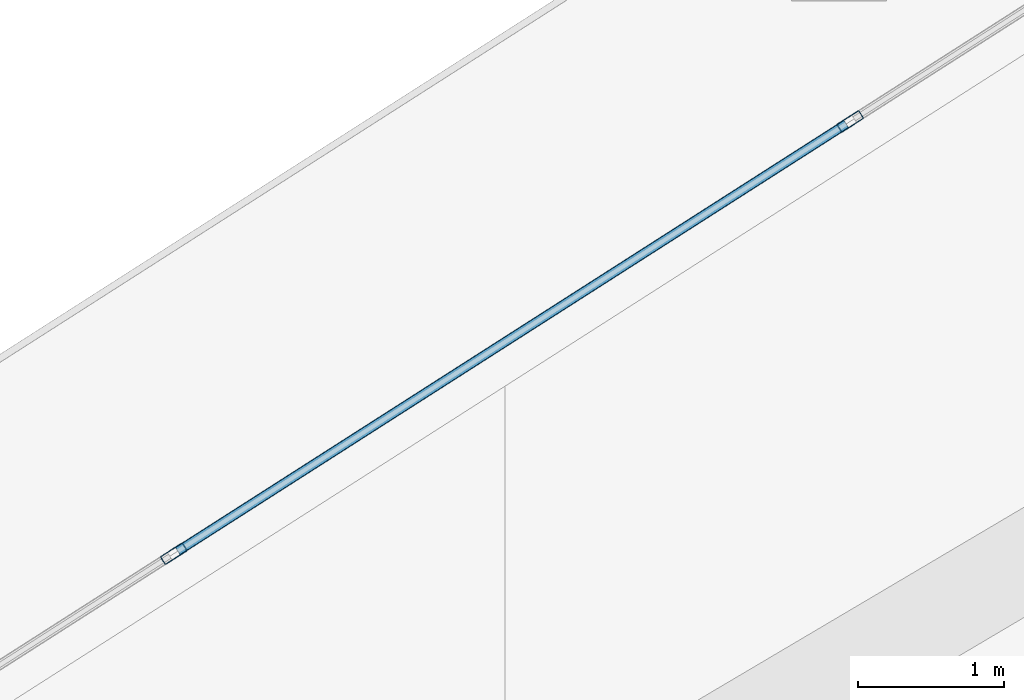
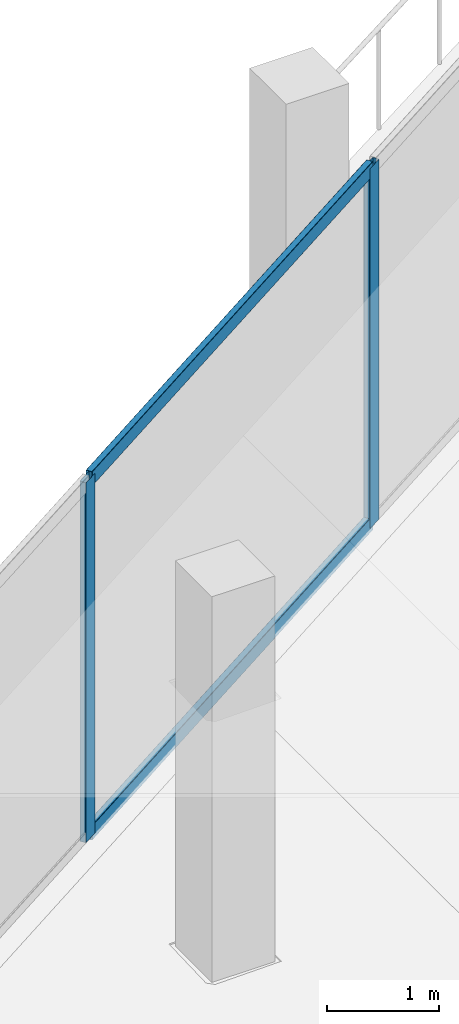
# One storey, part 16 of 45: 4 members, 1 element without a shape of its own.
"""IFC4 building model written with IfcOpenShell, lengths in metres."""

from ifc_helpers import new_model, si_unit, direction, frame, origin, origin_2d, place, context, subcontext, project, spatial, hollow_rectangle, extrude, material, layer, layer_set, material_profile, profile_set, type_object, element, aggregate, save


model = new_model("IFC4")

# Units and contexts
model_context = context("Model", 3, precision=1e-05, world=origin(), true_north=direction((0.0, 1.0)))
body_context = subcontext(model_context, "Body", "Model", "MODEL_VIEW")
ifc_project = project(units=[si_unit("LENGTHUNIT", "METRE"), si_unit("AREAUNIT", "SQUARE_METRE"), si_unit("VOLUMEUNIT", "CUBIC_METRE"), si_unit("PLANEANGLEUNIT", "RADIAN"), si_unit("MASSUNIT", "GRAM", prefix="KILO")], contexts=[model_context])

# Site, building, storey
site_placement = place(None, origin())
site = spatial("IfcSite", under=ifc_project, at=site_placement, CompositionType="ELEMENT")
building_placement = place(site_placement, origin())
building = spatial("IfcBuilding", under=site, at=building_placement, Name="Qorvath Tower", CompositionType="ELEMENT")
storey_placement = place(building_placement, frame((0.0, 0.0, 91.199951171875)))
storey = spatial("IfcBuildingStorey", under=building, at=storey_placement, Name="L20", CompositionType="ELEMENT", Elevation=91.199951171875)

# Curtain wall, members
ifc_material_1 = material(Name="Anodised aluminium and triple low-E glass", Category="aluminium")
ifc_layer = layer(ifc_material_1, 0.179931640625)
ifc_layer_set = layer_set([ifc_layer], Name="CW-SYS-2")
curtain_wall_type = type_object("IfcCurtainWallType", Name="CW-SYS-2", PredefinedType="NOTDEFINED", material=ifc_layer_set)
curtain_wall_placement = place(storey_placement, origin())
curtain_wall = element("IfcCurtainWall", 1, at=curtain_wall_placement, inside=storey, type_object=curtain_wall_type, Name="Curtain Wall CW-2 CW-T-L20-16.4", PredefinedType="NOTDEFINED")
ifc_material_2 = material(Name="Anodised aluminium 6063-T6", Category="aluminium")
ifc_material_profile_1 = material_profile(ifc_material_2, hollow_rectangle(XDim=0.06494140625, YDim=0.179931640625, WallThickness=0.00341796875, InnerFilletRadius=0.00341796875, OuterFilletRadius=0.007080078125, at=origin_2d()), Name="CWM 180x65")
ifc_profile_set_1 = profile_set([ifc_material_profile_1], Name="Anodised aluminium 6063-T6")
member_type_1 = type_object("IfcMemberType", Name="CWM-180", PredefinedType="MULLION", material=ifc_profile_set_1)
member_1_placement = place(storey_placement, frame((-40.255859375, 15.805419921875, 0.0), z_axis=(0.0, 0.0, 1.0), x_axis=(0.53852928912, -0.842606791309, 0.0)))
member_1 = element("IfcMember", 2, at=member_1_placement, type_object=member_type_1, Name="CW-2 mullion 2", PredefinedType="MULLION", context=body_context, shape_type="SweptSolid", body=[
    extrude(hollow_rectangle(XDim=0.06494140625, YDim=0.179931640625, WallThickness=0.00341796875, InnerFilletRadius=0.00341796875, OuterFilletRadius=0.007080078125, at=origin_2d()), origin(), (0.0, 0.0, 1.0), 3.920166015625),
])
member_2_placement = place(storey_placement, frame((-44.89013671875, 12.843505859375, 0.0), z_axis=(0.0, 0.0, 1.0), x_axis=(0.53852928912, -0.842606791309, 0.0)))
member_2 = element("IfcMember", 3, at=member_2_placement, type_object=member_type_1, Name="CW-2 mullion 3", PredefinedType="MULLION", context=body_context, shape_type="SweptSolid", body=[
    extrude(hollow_rectangle(XDim=0.06494140625, YDim=0.179931640625, WallThickness=0.00341796875, InnerFilletRadius=0.00341796875, OuterFilletRadius=0.007080078125, at=origin_2d()), origin(), (0.0, 0.0, 1.0), 3.920166015625),
])
ifc_material_3 = material(Name="Anodised aluminium 6063-T6", Category="aluminium")
ifc_material_profile_2 = material_profile(ifc_material_3, hollow_rectangle(XDim=0.06494140625, YDim=0.159912109375, WallThickness=0.00341796875, InnerFilletRadius=0.00341796875, OuterFilletRadius=0.007080078125, at=origin_2d()), Name="CWT 160x65")
ifc_profile_set_2 = profile_set([ifc_material_profile_2], Name="Anodised aluminium 6063-T6")
member_type_2 = type_object("IfcMemberType", Name="CWT-160", PredefinedType="USERDEFINED", material=ifc_profile_set_2)
member_3_placement = place(storey_placement, frame((-40.283203125, 15.787841796875, 0.032470703125), z_axis=(-0.842620391035, -0.538508009794, 0.0), x_axis=(0.538508009794, -0.842620391035, 0.0)))
member_3 = element("IfcMember", 4, at=member_3_placement, type_object=member_type_2, Name="CW-2 transom 2.1", ObjectType="TRANSOM", PredefinedType="USERDEFINED", context=body_context, shape_type="SweptSolid", body=[
    extrude(hollow_rectangle(XDim=0.06494140625, YDim=0.159912109375, WallThickness=0.00341796875, InnerFilletRadius=0.00341796875, OuterFilletRadius=0.007080078125, at=origin_2d()), origin(), (0.0, 0.0, 1.0), 5.43505859375),
])
member_4_placement = place(storey_placement, frame((-40.283203125, 15.787841796875, 3.8876953125), z_axis=(-0.842620391035, -0.538508009794, 0.0), x_axis=(0.538508009794, -0.842620391035, 0.0)))
member_4 = element("IfcMember", 5, at=member_4_placement, type_object=member_type_2, Name="CW-2 transom 2.2", ObjectType="TRANSOM", PredefinedType="USERDEFINED", context=body_context, shape_type="SweptSolid", body=[
    extrude(hollow_rectangle(XDim=0.06494140625, YDim=0.159912109375, WallThickness=0.00341796875, InnerFilletRadius=0.00341796875, OuterFilletRadius=0.007080078125, at=origin_2d()), origin(), (0.0, 0.0, 1.0), 5.43505859375),
])
aggregate(curtain_wall, [member_1, member_2, member_3, member_4])

save(model, "model.ifc")
